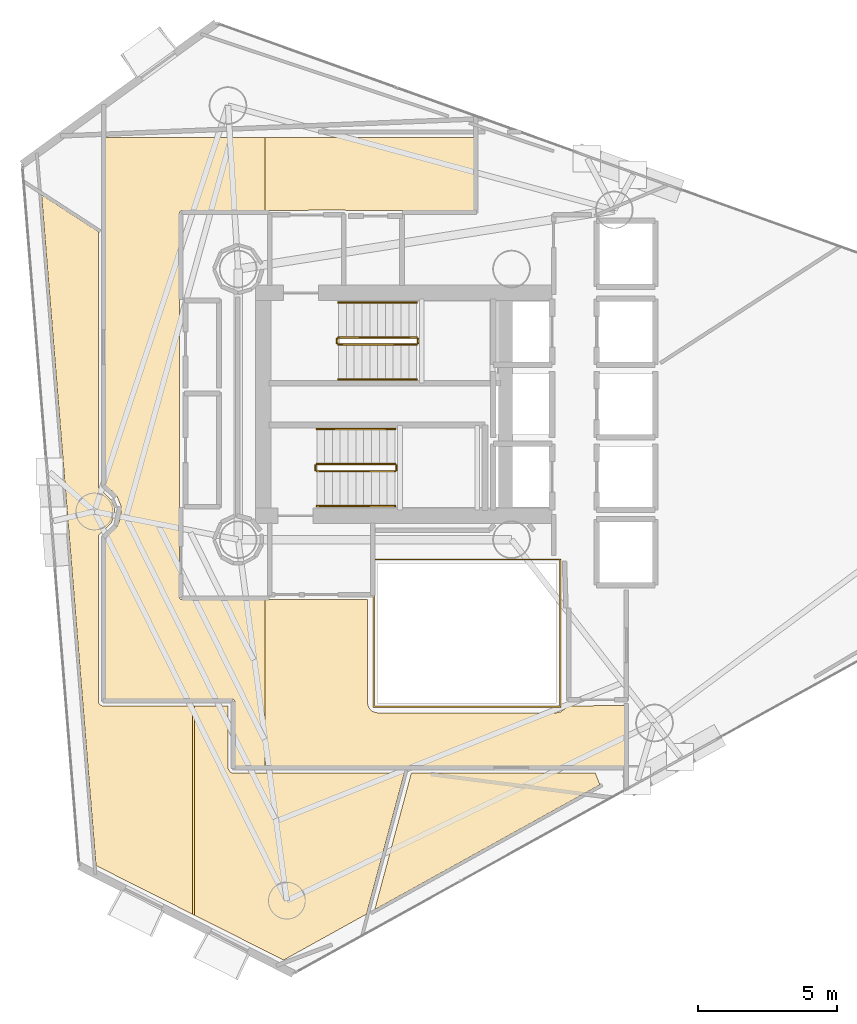
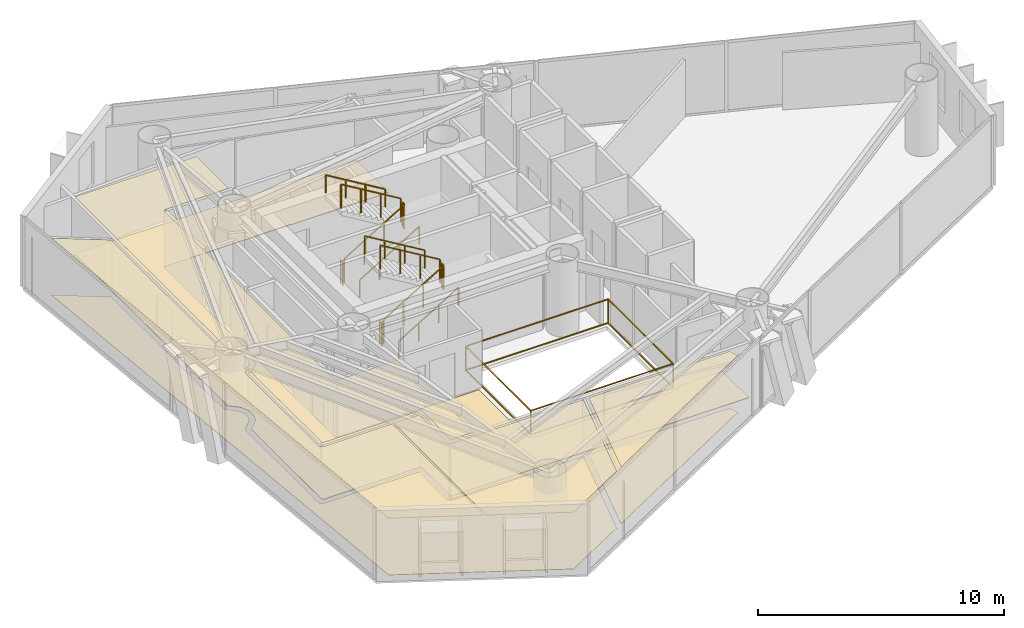
# One storey, part 21 of 21: 13 railings, 7 coverings.
"""IFC4 building model written with IfcOpenShell, lengths in metres."""

from ifc_helpers import new_model, si_unit, direction, frame, origin, origin_2d, place, context, subcontext, project, spatial, polyline, rectangle, outline, extrude, material, layer, layer_set, type_object, element, save


model = new_model("IFC4")

# Units and contexts
model_context = context("Model", 3, precision=1e-05, world=origin(), true_north=direction((0.0, 1.0)))
body_context = subcontext(model_context, "Body", "Model", "MODEL_VIEW")
ifc_project = project(units=[si_unit("LENGTHUNIT", "METRE"), si_unit("AREAUNIT", "SQUARE_METRE"), si_unit("VOLUMEUNIT", "CUBIC_METRE"), si_unit("PLANEANGLEUNIT", "RADIAN"), si_unit("MASSUNIT", "GRAM", prefix="KILO")], contexts=[model_context])

# Site, building, storey
site_placement = place(None, origin())
site = spatial("IfcSite", under=ifc_project, at=site_placement, CompositionType="ELEMENT")
building_placement = place(site_placement, origin())
building = spatial("IfcBuilding", under=site, at=building_placement, Name="Qianvela Tower", CompositionType="ELEMENT")
storey_placement = place(building_placement, frame((0.0, 0.0, 166.10009765625)))
storey = spatial("IfcBuildingStorey", under=building, at=storey_placement, Name="L42", CompositionType="ELEMENT", Elevation=166.10009765625)

# Coverings
ifc_material_1 = material(Name="Perforated Mineral Acoustic Ceiling Tile")
ifc_layer_1 = layer(ifc_material_1, 0.02490234375)
ifc_layer_set_1 = layer_set([ifc_layer_1], Name="Perforated Mineral Acoustic Ceiling Tile")
covering_type_1 = type_object("IfcCoveringType", Name="COV-CEIL-ACOUSTIC-25", PredefinedType="CEILING", material=ifc_layer_set_1)
covering_1_placement = place(storey_placement, frame((0.0, 0.0, 2.81494140625)))
element("IfcCovering", 1, at=covering_1_placement, inside=storey, type_object=covering_type_1, Name="L42 Acoustic Ceiling Bay 1 L42 Floor Corridor", PredefinedType="CEILING", context=body_context, shape_type="SweptSolid", body=[
    extrude(outline(polyline([(24.4033203125, 25.04150390625), (24.40234375, 25.04931640625), (24.400390625, 25.056884765625), (24.397705078125, 25.064208984375), (24.26416015625, 25.386962890625), (24.2607421875, 25.393798828125), (24.256591796875, 25.400634765625), (24.251953125, 25.406982421875), (24.140625, 25.54248046875), (24.135498046875, 25.54833984375), (24.129638671875, 25.5537109375), (23.830078125, 25.799560546875), (23.830078125, 38.27001953125), (29.55615234375, 38.27001953125), (29.55615234375, 35.651123046875), (26.57958984375, 35.639892578125), (26.572021484375, 35.6396484375), (26.564208984375, 35.638427734375), (26.556396484375, 35.636474609375), (26.54931640625, 35.6337890625), (26.5419921875, 35.630615234375), (26.535400390625, 35.62646484375), (26.529052734375, 35.62158203125), (26.523193359375, 35.616455078125), (26.51806640625, 35.610595703125), (26.513427734375, 35.6044921875), (26.509521484375, 35.59765625), (26.506103515625, 35.590576171875), (26.50341796875, 35.583251953125), (26.50146484375, 35.57568359375), (26.50048828125, 35.56787109375), (26.5, 35.56005859375), (26.5, 21.780029296875), (26.50048828125, 21.772216796875), (26.50146484375, 21.764404296875), (26.50341796875, 21.7568359375), (26.506103515625, 21.74951171875), (26.509521484375, 21.7421875), (26.513427734375, 21.735595703125), (26.518310546875, 21.729248046875), (26.5234375, 21.723388671875), (26.529296875, 21.71826171875), (26.53564453125, 21.71337890625), (26.542236328125, 21.70947265625), (26.54931640625, 21.7060546875), (26.556884765625, 21.703369140625), (26.564453125, 21.701416015625), (26.572265625, 21.700439453125), (26.580078125, 21.699951171875), (29.55615234375, 21.699951171875), (29.55615234375, 15.72998046875), (28.47998046875, 15.72998046875), (28.47998046875, 18.050048828125), (28.4794921875, 18.057861328125), (28.478515625, 18.065673828125), (28.4765625, 18.0732421875), (28.473876953125, 18.08056640625), (28.470703125, 18.087646484375), (28.466552734375, 18.094482421875), (28.4619140625, 18.100830078125), (28.45654296875, 18.106689453125), (28.45068359375, 18.11181640625), (28.4443359375, 18.116455078125), (28.437744140625, 18.12060546875), (28.4306640625, 18.123779296875), (28.423095703125, 18.126708984375), (28.41552734375, 18.12841796875), (28.40771484375, 18.129638671875), (28.39990234375, 18.1298828125), (23.830078125, 18.1298828125), (23.830078125, 23.921142578125), (24.244384765625, 24.302978515625), (24.25048828125, 24.30908203125), (24.255859375, 24.31591796875), (24.26025390625, 24.3232421875), (24.26416015625, 24.3310546875), (24.397705078125, 24.65380859375), (24.400390625, 24.6611328125), (24.40234375, 24.668701171875), (24.4033203125, 24.676513671875), (24.40380859375, 24.684326171875), (24.40380859375, 25.03369140625), (24.4033203125, 25.04150390625)])), origin(), (0.0, 0.0, 1.0), 0.02490234375),
])
covering_2_placement = place(storey_placement, frame((0.0, 0.0, 2.81494140625)))
element("IfcCovering", 2, at=covering_2_placement, inside=storey, type_object=covering_type_1, Name="L42 Acoustic Ceiling Bay 1 Graduate Seminar Classroom L42-01", PredefinedType="CEILING", context=body_context, shape_type="SweptSolid", body=[
    extrude(outline(polyline([(23.590087890625, 34.8876953125), (23.59033203125, 25.75390625), (23.5908203125, 25.745849609375), (23.592041015625, 25.738037109375), (23.593994140625, 25.730224609375), (23.5966796875, 25.722900390625), (23.60009765625, 25.715576171875), (23.604248046875, 25.708740234375), (23.609130859375, 25.702392578125), (23.614501953125, 25.696533203125), (24.05322265625, 25.268798828125), (24.163818359375, 25.001708984375), (24.163818359375, 24.71630859375), (24.055419921875, 24.454345703125), (23.614501953125, 24.021484375), (23.60888671875, 24.015625), (23.604248046875, 24.009521484375), (23.60009765625, 24.002685546875), (23.5966796875, 23.995361328125), (23.593994140625, 23.98779296875), (23.592041015625, 23.980224609375), (23.5908203125, 23.972412109375), (23.59033203125, 23.96435546875), (23.603515625, 18.00537109375), (23.60400390625, 17.99755859375), (23.60498046875, 17.98974609375), (23.60693359375, 17.982177734375), (23.609619140625, 17.974853515625), (23.613037109375, 17.9677734375), (23.616943359375, 17.9609375), (23.62158203125, 17.954833984375), (23.626953125, 17.948974609375), (23.6328125, 17.943603515625), (23.63916015625, 17.93896484375), (23.645751953125, 17.93505859375), (23.71240234375, 17.8994140625), (23.719482421875, 17.89599609375), (23.726806640625, 17.893310546875), (23.734375, 17.8916015625), (23.7421875, 17.890380859375), (23.75, 17.889892578125), (26.964111328125, 17.889892578125), (26.964111328125, 10.4248046875), (23.506103515625, 12.16748046875), (21.5546875, 36.20947265625), (23.590087890625, 34.8876953125)])), origin(), (0.0, 0.0, 1.0), 0.02490234375),
])
covering_3_placement = place(storey_placement, frame((0.0, 0.0, 2.81494140625)))
element("IfcCovering", 3, at=covering_3_placement, inside=storey, type_object=covering_type_1, Name="L42 Acoustic Ceiling Bay 2 Graduate Seminar Classroom L42-01", PredefinedType="CEILING", context=body_context, shape_type="SweptSolid", body=[
    extrude(outline(polyline([(28.239990234375, 17.889892578125), (28.239990234375, 15.64990234375), (28.240478515625, 15.64208984375), (28.241455078125, 15.634521484375), (28.243408203125, 15.626708984375), (28.24609375, 15.619384765625), (28.24951171875, 15.6123046875), (28.25341796875, 15.605712890625), (28.25830078125, 15.59912109375), (28.322509765625, 15.520751953125), (28.327880859375, 15.514892578125), (28.33349609375, 15.509765625), (28.33984375, 15.5048828125), (28.3466796875, 15.5009765625), (28.353759765625, 15.49755859375), (28.361083984375, 15.4951171875), (28.368896484375, 15.4931640625), (28.37646484375, 15.491943359375), (28.384521484375, 15.491455078125), (34.5576171875, 15.489990234375), (33.200927734375, 10.4267578125), (30.228515625, 8.77978515625), (27.044189453125, 10.384521484375), (27.044189453125, 17.889892578125), (28.239990234375, 17.889892578125)])), origin(), (0.0, 0.0, 1.0), 0.02490234375),
])
covering_4_placement = place(storey_placement, frame((0.0, 0.0, 2.81494140625)))
element("IfcCovering", 4, at=covering_4_placement, inside=storey, type_object=covering_type_1, Name="L42 Acoustic Ceiling Tutorial Breakout Seminar L42-02", PredefinedType="CEILING", context=body_context, shape_type="SweptSolid", body=[
    extrude(outline(polyline([(34.810302734375, 15.489990234375), (41.40380859375, 15.489990234375), (41.567626953125, 15.063232421875), (33.49755859375, 10.59130859375), (34.810302734375, 15.489990234375)])), origin(), (0.0, 0.0, 1.0), 0.02490234375),
])
ifc_material_2 = material(Name="Engineered Acoustic Oak Timber Flooring", Category="wood")
ifc_layer_2 = layer(ifc_material_2, 0.02001953125)
ifc_layer_set_2 = layer_set([ifc_layer_2], Name="Engineered Acoustic Oak Timber Flooring")
covering_type_2 = type_object("IfcCoveringType", Name="COV-FLOOR-OAK-20", PredefinedType="FLOORING", material=ifc_layer_set_2)
covering_5_placement = place(storey_placement, origin())
element("IfcCovering", 5, at=covering_5_placement, inside=storey, type_object=covering_type_2, Name="L42 Finish Flooring Graduate Seminar Classroom L42-01", PredefinedType="FLOORING", context=body_context, shape_type="SweptSolid", body=[
    extrude(outline(polyline([(21.5546875, 36.20947265625), (23.590087890625, 34.8876953125), (23.59033203125, 25.75390625), (23.5908203125, 25.745849609375), (23.592041015625, 25.738037109375), (23.593994140625, 25.730224609375), (23.5966796875, 25.722900390625), (23.60009765625, 25.715576171875), (23.604248046875, 25.708740234375), (23.609130859375, 25.702392578125), (23.614501953125, 25.696533203125), (24.05322265625, 25.268798828125), (24.163818359375, 25.001708984375), (24.163818359375, 24.71630859375), (24.055419921875, 24.454345703125), (23.614501953125, 24.021484375), (23.60888671875, 24.015625), (23.604248046875, 24.009521484375), (23.60009765625, 24.002685546875), (23.5966796875, 23.995361328125), (23.593994140625, 23.98779296875), (23.592041015625, 23.980224609375), (23.5908203125, 23.972412109375), (23.59033203125, 23.96435546875), (23.603515625, 18.00537109375), (23.60400390625, 17.99755859375), (23.60498046875, 17.98974609375), (23.60693359375, 17.982177734375), (23.609619140625, 17.974853515625), (23.613037109375, 17.9677734375), (23.616943359375, 17.9609375), (23.62158203125, 17.954833984375), (23.626953125, 17.948974609375), (23.6328125, 17.943603515625), (23.63916015625, 17.93896484375), (23.645751953125, 17.93505859375), (23.71240234375, 17.8994140625), (23.719482421875, 17.89599609375), (23.726806640625, 17.893310546875), (23.734375, 17.8916015625), (23.7421875, 17.890380859375), (23.75, 17.889892578125), (28.239990234375, 17.889892578125), (28.239990234375, 15.64990234375), (28.240478515625, 15.64208984375), (28.241455078125, 15.634521484375), (28.243408203125, 15.626708984375), (28.24609375, 15.619384765625), (28.24951171875, 15.6123046875), (28.25341796875, 15.605712890625), (28.25830078125, 15.59912109375), (28.322509765625, 15.520751953125), (28.327880859375, 15.514892578125), (28.33349609375, 15.509765625), (28.33984375, 15.5048828125), (28.3466796875, 15.5009765625), (28.353759765625, 15.49755859375), (28.361083984375, 15.4951171875), (28.368896484375, 15.4931640625), (28.37646484375, 15.491943359375), (28.384521484375, 15.491455078125), (34.5576171875, 15.489990234375), (33.200927734375, 10.4267578125), (30.228515625, 8.77978515625), (23.506103515625, 12.16748046875), (21.5546875, 36.20947265625)])), origin(), (0.0, 0.0, 1.0), 0.02001953125),
])
covering_6_placement = place(storey_placement, origin())
element("IfcCovering", 6, at=covering_6_placement, inside=storey, type_object=covering_type_2, Name="L42 Finish Flooring Tutorial Breakout Seminar L42-02", PredefinedType="FLOORING", context=body_context, shape_type="SweptSolid", body=[
    extrude(outline(polyline([(34.810302734375, 15.489990234375), (41.40380859375, 15.489990234375), (41.567626953125, 15.063232421875), (33.49755859375, 10.59130859375), (34.810302734375, 15.489990234375)])), origin(), (0.0, 0.0, 1.0), 0.02001953125),
])
ifc_material_3 = material(Name="Honed Stone Terrazzo Flooring", Category="masonry")
ifc_layer_3 = layer(ifc_material_3, 0.030029296875)
ifc_layer_set_3 = layer_set([ifc_layer_3], Name="Honed Stone Terrazzo Flooring")
covering_type_3 = type_object("IfcCoveringType", Name="COV-FLOOR-TERRAZZO-30", PredefinedType="FLOORING", material=ifc_layer_set_3)
covering_7_placement = place(storey_placement, origin())
element("IfcCovering", 7, at=covering_7_placement, inside=storey, type_object=covering_type_3, Name="L42 Finish Flooring L42 Floor Corridor", PredefinedType="FLOORING", context=body_context, shape_type="SweptSolid", body=[
    extrude(outline(polyline([(24.40380859375, 25.03369140625), (24.4033203125, 25.04150390625), (24.40234375, 25.04931640625), (24.400390625, 25.056884765625), (24.397705078125, 25.064208984375), (24.26416015625, 25.386962890625), (24.2607421875, 25.393798828125), (24.256591796875, 25.400634765625), (24.251953125, 25.406982421875), (24.140625, 25.54248046875), (24.135498046875, 25.54833984375), (24.129638671875, 25.5537109375), (23.830078125, 25.799560546875), (23.830078125, 38.27001953125), (37.070068359375, 38.27001953125), (37.070068359375, 35.639892578125), (32.5244140625, 35.639892578125), (32.43798828125, 35.659912109375), (32.428955078125, 35.66162109375), (32.419677734375, 35.662109375), (26.57958984375, 35.639892578125), (26.572021484375, 35.6396484375), (26.564208984375, 35.638427734375), (26.556396484375, 35.636474609375), (26.54931640625, 35.6337890625), (26.5419921875, 35.630615234375), (26.535400390625, 35.62646484375), (26.529052734375, 35.62158203125), (26.523193359375, 35.616455078125), (26.51806640625, 35.610595703125), (26.513427734375, 35.6044921875), (26.509521484375, 35.59765625), (26.506103515625, 35.590576171875), (26.50341796875, 35.583251953125), (26.50146484375, 35.57568359375), (26.50048828125, 35.56787109375), (26.5, 35.56005859375), (26.5, 21.780029296875), (26.50048828125, 21.772216796875), (26.50146484375, 21.764404296875), (26.50341796875, 21.7568359375), (26.506103515625, 21.74951171875), (26.509521484375, 21.7421875), (26.513427734375, 21.735595703125), (26.518310546875, 21.729248046875), (26.5234375, 21.723388671875), (26.529296875, 21.71826171875), (26.53564453125, 21.71337890625), (26.542236328125, 21.70947265625), (26.54931640625, 21.7060546875), (26.556884765625, 21.703369140625), (26.564453125, 21.701416015625), (26.572265625, 21.700439453125), (26.580078125, 21.699951171875), (33.239990234375, 21.699951171875), (33.239990234375, 18.0), (33.240478515625, 17.990234375), (33.242431640625, 17.980712890625), (33.275390625, 17.8486328125), (33.277587890625, 17.841064453125), (33.28076171875, 17.833740234375), (33.284423828125, 17.826904296875), (33.288818359375, 17.8203125), (33.293701171875, 17.814208984375), (33.38525390625, 17.71337890625), (33.391357421875, 17.70751953125), (33.398193359375, 17.701904296875), (33.405517578125, 17.697509765625), (33.4130859375, 17.693603515625), (33.421142578125, 17.690673828125), (33.576904296875, 17.643310546875), (33.58447265625, 17.6416015625), (33.59228515625, 17.640380859375), (33.60009765625, 17.639892578125), (40.0, 17.639892578125), (40.006591796875, 17.640380859375), (40.012939453125, 17.64111328125), (40.019287109375, 17.642333984375), (40.1513671875, 17.675537109375), (40.15869140625, 17.677734375), (40.166015625, 17.6806640625), (40.172607421875, 17.68408203125), (40.17919921875, 17.6884765625), (40.45947265625, 17.89306640625), (42.469970703125, 17.899658203125), (42.469970703125, 15.72998046875), (28.47998046875, 15.72998046875), (28.47998046875, 18.050048828125), (28.4794921875, 18.057861328125), (28.478515625, 18.065673828125), (28.4765625, 18.0732421875), (28.473876953125, 18.08056640625), (28.470703125, 18.087646484375), (28.466552734375, 18.094482421875), (28.4619140625, 18.100830078125), (28.45654296875, 18.106689453125), (28.45068359375, 18.11181640625), (28.4443359375, 18.116455078125), (28.437744140625, 18.12060546875), (28.4306640625, 18.123779296875), (28.423095703125, 18.126708984375), (28.41552734375, 18.12841796875), (28.40771484375, 18.129638671875), (28.39990234375, 18.1298828125), (23.830078125, 18.1298828125), (23.830078125, 23.921142578125), (24.244384765625, 24.302978515625), (24.25048828125, 24.30908203125), (24.255859375, 24.31591796875), (24.26025390625, 24.3232421875), (24.26416015625, 24.3310546875), (24.397705078125, 24.65380859375), (24.400390625, 24.6611328125), (24.40234375, 24.668701171875), (24.4033203125, 24.676513671875), (24.40380859375, 24.684326171875), (24.40380859375, 25.03369140625)])), origin(), (0.0, 0.0, 1.0), 0.02978515625),
])

# Railings
ifc_material_4 = material(Name="Laminated Safety Glass and Stainless Steel 316", Category="steel")
railing_type_1 = type_object("IfcRailingType", Name="RL-ATRIUM-GUARD-1250", PredefinedType="GUARDRAIL", material=ifc_material_4)
railing_1_placement = place(storey_placement, frame((33.4599609375, 17.860107421875, 0.0)))
element("IfcRailing", 8, at=railing_1_placement, inside=storey, type_object=railing_type_1, Name="L42 Atrium Edge Guardrail 1", PredefinedType="GUARDRAIL", context=body_context, shape_type="SweptSolid", body=[
    extrude(rectangle(XDim=0.050048828125, YDim=0.0400390625, at=origin_2d()), frame((0.0, 0.0, 1.22998046875), z_axis=(0.0, 1.0, 0.0), x_axis=(-1.0, 0.0, 0.0)), (0.0, 0.0, 1.0), 5.27978515625),
    extrude(rectangle(XDim=0.050048828125, YDim=0.0400390625, at=origin_2d()), frame((0.0, 0.0, 0.050048828125), z_axis=(0.0, 1.0, 0.0), x_axis=(-1.0, 0.0, 0.0)), (0.0, 0.0, 1.0), 5.27978515625),
    extrude(rectangle(XDim=0.050048828125, YDim=0.0400390625, at=origin_2d()), frame((0.0, 5.27978515625, 1.22998046875), z_axis=(1.0, 0.0, 0.0), x_axis=(0.0, 1.0, 0.0)), (0.0, 0.0, 1.0), 6.679931640625),
    extrude(rectangle(XDim=0.050048828125, YDim=0.0400390625, at=origin_2d()), frame((0.0, 5.27978515625, 0.050048828125), z_axis=(1.0, 0.0, 0.0), x_axis=(0.0, 1.0, 0.0)), (0.0, 0.0, 1.0), 6.679931640625),
    extrude(rectangle(XDim=0.050048828125, YDim=0.0400390625, at=origin_2d()), frame((6.679931640625, 5.27978515625, 1.22998046875), z_axis=(0.0, -1.0, 0.0), x_axis=(1.0, 0.0, 0.0)), (0.0, 0.0, 1.0), 5.27978515625),
    extrude(rectangle(XDim=0.050048828125, YDim=0.0400390625, at=origin_2d()), frame((6.679931640625, 5.27978515625, 0.050048828125), z_axis=(0.0, -1.0, 0.0), x_axis=(1.0, 0.0, 0.0)), (0.0, 0.0, 1.0), 5.27978515625),
    extrude(rectangle(XDim=0.050048828125, YDim=0.0400390625, at=origin_2d()), frame((6.679931640625, 0.0, 1.22998046875), z_axis=(-1.0, 0.0, 0.0), x_axis=(0.0, -1.0, 0.0)), (0.0, 0.0, 1.0), 6.679931640625),
    extrude(rectangle(XDim=0.050048828125, YDim=0.0400390625, at=origin_2d()), frame((6.679931640625, 0.0, 0.050048828125), z_axis=(-1.0, 0.0, 0.0), x_axis=(0.0, -1.0, 0.0)), (0.0, 0.0, 1.0), 6.679931640625),
    extrude(rectangle(XDim=0.050048828125, YDim=0.050048828125, at=origin_2d()), origin(), (0.0, 0.0, 1.0), 1.2099609375),
    extrude(rectangle(XDim=0.050048828125, YDim=0.050048828125, at=origin_2d()), frame((0.0, 5.27978515625, 0.0)), (0.0, 0.0, 1.0), 1.2099609375),
    extrude(rectangle(XDim=0.050048828125, YDim=0.050048828125, at=origin_2d()), frame((6.679931640625, 5.27978515625, 0.0)), (0.0, 0.0, 1.0), 1.2099609375),
    extrude(rectangle(XDim=0.050048828125, YDim=0.050048828125, at=origin_2d()), frame((6.679931640625, 0.0, 0.0)), (0.0, 0.0, 1.0), 1.2099609375),
])
ifc_material_5 = material(Name="Painted Tubular Steel Q355B", Category="steel")
railing_type_2 = type_object("IfcRailingType", Name="RL-STAIR-GUARD-1200", PredefinedType="GUARDRAIL", material=ifc_material_5)
railing_2_placement = place(storey_placement, frame((32.199951171875, 30.840087890625, 0.16796875)))
element("IfcRailing", 9, at=railing_2_placement, inside=storey, type_object=railing_type_2, Name="L42 ST-1 stair guard 1", PredefinedType="GUARDRAIL", context=body_context, shape_type="SweptSolid", body=[
    extrude(rectangle(XDim=0.050048828125, YDim=0.0400390625, at=origin_2d()), frame((0.0, 0.0, 1.179931640625), z_axis=(0.857242210791, 0.0, 0.514913383045), x_axis=(0.0, 1.0, 0.0)), (0.0, 0.0, 1.0), 3.266357421875),
    extrude(rectangle(XDim=0.050048828125, YDim=0.050048828125, at=origin_2d()), origin(), (0.0, 0.0, 1.0), 1.159912109375),
    extrude(rectangle(XDim=0.050048828125, YDim=0.050048828125, at=origin_2d()), frame((0.933349609375, 0.0, 0.560546875)), (0.0, 0.0, 1.0), 1.159912109375),
    extrude(rectangle(XDim=0.050048828125, YDim=0.050048828125, at=origin_2d()), frame((1.86669921875, 0.0, 1.121337890625)), (0.0, 0.0, 1.0), 1.159912109375),
    extrude(rectangle(XDim=0.050048828125, YDim=0.050048828125, at=origin_2d()), frame((2.800048828125, 0.0, 1.681884765625)), (0.0, 0.0, 1.0), 1.159912109375),
])
railing_3_placement = place(storey_placement, frame((35.050048828125, 30.889892578125, 1.849853515625)))
element("IfcRailing", 10, at=railing_3_placement, inside=storey, type_object=railing_type_2, Name="L42 ST-1 stair guard 2", PredefinedType="GUARDRAIL", context=body_context, shape_type="SweptSolid", body=[
    extrude(rectangle(XDim=0.050048828125, YDim=0.0400390625, at=origin_2d()), frame((0.0, 0.0, 1.179931640625), z_axis=(0.0, 1.0, 0.0), x_axis=(-1.0, 0.0, 0.0)), (0.0, 0.0, 1.0), 0.16015625),
    extrude(rectangle(XDim=0.050048828125, YDim=0.050048828125, at=origin_2d()), origin(), (0.0, 0.0, 1.0), 1.159912109375),
    extrude(rectangle(XDim=0.050048828125, YDim=0.050048828125, at=origin_2d()), frame((0.0, 0.16015625, 0.0)), (0.0, 0.0, 1.0), 1.159912109375),
])
railing_4_placement = place(storey_placement, frame((35.0, 31.10009765625, 2.01806640625)))
element("IfcRailing", 11, at=railing_4_placement, inside=storey, type_object=railing_type_2, Name="L42 ST-1 stair guard 3", PredefinedType="GUARDRAIL", context=body_context, shape_type="SweptSolid", body=[
    extrude(rectangle(XDim=0.050048828125, YDim=0.0400390625, at=origin_2d()), frame((0.0, 0.0, 1.179931640625), z_axis=(-0.857242210791, 0.0, 0.514913383045), x_axis=(0.0, -1.0, 0.0)), (0.0, 0.0, 1.0), 3.266357421875),
    extrude(rectangle(XDim=0.050048828125, YDim=0.050048828125, at=origin_2d()), origin(), (0.0, 0.0, 1.0), 1.159912109375),
    extrude(rectangle(XDim=0.050048828125, YDim=0.050048828125, at=origin_2d()), frame((-0.933349609375, 0.0, 0.560546875)), (0.0, 0.0, 1.0), 1.159912109375),
    extrude(rectangle(XDim=0.050048828125, YDim=0.050048828125, at=origin_2d()), frame((-1.86669921875, 0.0, 1.121337890625)), (0.0, 0.0, 1.0), 1.159912109375),
    extrude(rectangle(XDim=0.050048828125, YDim=0.050048828125, at=origin_2d()), frame((-2.800048828125, 0.0, 1.681884765625)), (0.0, 0.0, 1.0), 1.159912109375),
])
railing_5_placement = place(storey_placement, frame((32.14990234375, 30.889892578125, 0.0)))
element("IfcRailing", 12, at=railing_5_placement, inside=storey, type_object=railing_type_2, Name="L42 ST-1 stair guard 4", PredefinedType="GUARDRAIL", context=body_context, shape_type="SweptSolid", body=[
    extrude(rectangle(XDim=0.050048828125, YDim=0.0400390625, at=origin_2d()), frame((0.0, 0.0, 1.179931640625), z_axis=(0.0, 1.0, 0.0), x_axis=(-1.0, 0.0, 0.0)), (0.0, 0.0, 1.0), 0.16015625),
    extrude(rectangle(XDim=0.050048828125, YDim=0.050048828125, at=origin_2d()), origin(), (0.0, 0.0, 1.0), 1.159912109375),
    extrude(rectangle(XDim=0.050048828125, YDim=0.050048828125, at=origin_2d()), frame((0.0, 0.16015625, 0.0)), (0.0, 0.0, 1.0), 1.159912109375),
])
railing_6_placement = place(storey_placement, frame((31.419921875, 26.300048828125, 0.16796875)))
element("IfcRailing", 13, at=railing_6_placement, inside=storey, type_object=railing_type_2, Name="L42 ST-2 stair guard 1", PredefinedType="GUARDRAIL", context=body_context, shape_type="SweptSolid", body=[
    extrude(rectangle(XDim=0.050048828125, YDim=0.0400390625, at=origin_2d()), frame((0.0, 0.0, 1.179931640625), z_axis=(0.857242210791, 0.0, 0.514913383045), x_axis=(0.0, 1.0, 0.0)), (0.0, 0.0, 1.0), 3.266357421875),
    extrude(rectangle(XDim=0.050048828125, YDim=0.050048828125, at=origin_2d()), origin(), (0.0, 0.0, 1.0), 1.159912109375),
    extrude(rectangle(XDim=0.050048828125, YDim=0.050048828125, at=origin_2d()), frame((0.933349609375, 0.0, 0.560546875)), (0.0, 0.0, 1.0), 1.159912109375),
    extrude(rectangle(XDim=0.050048828125, YDim=0.050048828125, at=origin_2d()), frame((1.86669921875, 0.0, 1.121337890625)), (0.0, 0.0, 1.0), 1.159912109375),
    extrude(rectangle(XDim=0.050048828125, YDim=0.050048828125, at=origin_2d()), frame((2.800048828125, 0.0, 1.681884765625)), (0.0, 0.0, 1.0), 1.159912109375),
])
railing_7_placement = place(storey_placement, frame((34.27001953125, 26.35009765625, 1.849853515625)))
element("IfcRailing", 14, at=railing_7_placement, inside=storey, type_object=railing_type_2, Name="L42 ST-2 stair guard 2", PredefinedType="GUARDRAIL", context=body_context, shape_type="SweptSolid", body=[
    extrude(rectangle(XDim=0.050048828125, YDim=0.0400390625, at=origin_2d()), frame((0.0, 0.0, 1.179931640625), z_axis=(0.0, 1.0, 0.0), x_axis=(-1.0, 0.0, 0.0)), (0.0, 0.0, 1.0), 0.159912109375),
    extrude(rectangle(XDim=0.050048828125, YDim=0.050048828125, at=origin_2d()), origin(), (0.0, 0.0, 1.0), 1.159912109375),
    extrude(rectangle(XDim=0.050048828125, YDim=0.050048828125, at=origin_2d()), frame((0.0, 0.159912109375, 0.0)), (0.0, 0.0, 1.0), 1.159912109375),
])
railing_8_placement = place(storey_placement, frame((34.219970703125, 26.56005859375, 2.01806640625)))
element("IfcRailing", 15, at=railing_8_placement, inside=storey, type_object=railing_type_2, Name="L42 ST-2 stair guard 3", PredefinedType="GUARDRAIL", context=body_context, shape_type="SweptSolid", body=[
    extrude(rectangle(XDim=0.050048828125, YDim=0.0400390625, at=origin_2d()), frame((0.0, 0.0, 1.179931640625), z_axis=(-0.857242210791, 0.0, 0.514913383045), x_axis=(0.0, -1.0, 0.0)), (0.0, 0.0, 1.0), 3.266357421875),
    extrude(rectangle(XDim=0.050048828125, YDim=0.050048828125, at=origin_2d()), origin(), (0.0, 0.0, 1.0), 1.159912109375),
    extrude(rectangle(XDim=0.050048828125, YDim=0.050048828125, at=origin_2d()), frame((-0.933349609375, 0.0, 0.560546875)), (0.0, 0.0, 1.0), 1.159912109375),
    extrude(rectangle(XDim=0.050048828125, YDim=0.050048828125, at=origin_2d()), frame((-1.86669921875, 0.0, 1.121337890625)), (0.0, 0.0, 1.0), 1.159912109375),
    extrude(rectangle(XDim=0.050048828125, YDim=0.050048828125, at=origin_2d()), frame((-2.800048828125, 0.0, 1.681884765625)), (0.0, 0.0, 1.0), 1.159912109375),
])
railing_9_placement = place(storey_placement, frame((31.3701171875, 26.35009765625, 0.0)))
element("IfcRailing", 16, at=railing_9_placement, inside=storey, type_object=railing_type_2, Name="L42 ST-2 stair guard 4", PredefinedType="GUARDRAIL", context=body_context, shape_type="SweptSolid", body=[
    extrude(rectangle(XDim=0.050048828125, YDim=0.0400390625, at=origin_2d()), frame((0.0, 0.0, 1.179931640625), z_axis=(0.0, 1.0, 0.0), x_axis=(-1.0, 0.0, 0.0)), (0.0, 0.0, 1.0), 0.159912109375),
    extrude(rectangle(XDim=0.050048828125, YDim=0.050048828125, at=origin_2d()), origin(), (0.0, 0.0, 1.0), 1.159912109375),
    extrude(rectangle(XDim=0.050048828125, YDim=0.050048828125, at=origin_2d()), frame((0.0, 0.159912109375, 0.0)), (0.0, 0.0, 1.0), 1.159912109375),
])
ifc_material_6 = material(Name="Brushed Stainless Steel 304", Category="steel")
railing_type_3 = type_object("IfcRailingType", Name="RL-STAIR-HANDRAIL-900", PredefinedType="HANDRAIL", material=ifc_material_6)
railing_10_placement = place(storey_placement, frame((32.199951171875, 29.590087890625, 0.16796875)))
element("IfcRailing", 17, at=railing_10_placement, inside=storey, type_object=railing_type_3, Name="L42 ST-1 stair handrail 1", PredefinedType="HANDRAIL", context=body_context, shape_type="SweptSolid", body=[
    extrude(rectangle(XDim=0.050048828125, YDim=0.0400390625, at=origin_2d()), frame((0.0, 0.0, 0.8798828125), z_axis=(0.857242210791, 0.0, 0.514913383045), x_axis=(0.0, 1.0, 0.0)), (0.0, 0.0, 1.0), 3.266357421875),
    extrude(rectangle(XDim=0.050048828125, YDim=0.050048828125, at=origin_2d()), origin(), (0.0, 0.0, 1.0), 0.85986328125),
    extrude(rectangle(XDim=0.050048828125, YDim=0.050048828125, at=origin_2d()), frame((0.933349609375, 0.0, 0.560546875)), (0.0, 0.0, 1.0), 0.85986328125),
    extrude(rectangle(XDim=0.050048828125, YDim=0.050048828125, at=origin_2d()), frame((1.86669921875, 0.0, 1.121337890625)), (0.0, 0.0, 1.0), 0.85986328125),
    extrude(rectangle(XDim=0.050048828125, YDim=0.050048828125, at=origin_2d()), frame((2.800048828125, 0.0, 1.681884765625)), (0.0, 0.0, 1.0), 0.85986328125),
])
railing_11_placement = place(storey_placement, frame((35.0, 32.35009765625, 2.01806640625)))
element("IfcRailing", 18, at=railing_11_placement, inside=storey, type_object=railing_type_3, Name="L42 ST-1 stair handrail 2", PredefinedType="HANDRAIL", context=body_context, shape_type="SweptSolid", body=[
    extrude(rectangle(XDim=0.050048828125, YDim=0.0400390625, at=origin_2d()), frame((0.0, 0.0, 0.8798828125), z_axis=(-0.857242210791, 0.0, 0.514913383045), x_axis=(0.0, -1.0, 0.0)), (0.0, 0.0, 1.0), 3.266357421875),
    extrude(rectangle(XDim=0.050048828125, YDim=0.050048828125, at=origin_2d()), origin(), (0.0, 0.0, 1.0), 0.85986328125),
    extrude(rectangle(XDim=0.050048828125, YDim=0.050048828125, at=origin_2d()), frame((-0.933349609375, 0.0, 0.560546875)), (0.0, 0.0, 1.0), 0.85986328125),
    extrude(rectangle(XDim=0.050048828125, YDim=0.050048828125, at=origin_2d()), frame((-1.86669921875, 0.0, 1.121337890625)), (0.0, 0.0, 1.0), 0.85986328125),
    extrude(rectangle(XDim=0.050048828125, YDim=0.050048828125, at=origin_2d()), frame((-2.800048828125, 0.0, 1.681884765625)), (0.0, 0.0, 1.0), 0.85986328125),
])
railing_12_placement = place(storey_placement, frame((31.419921875, 25.050048828125, 0.16796875)))
element("IfcRailing", 19, at=railing_12_placement, inside=storey, type_object=railing_type_3, Name="L42 ST-2 stair handrail 1", PredefinedType="HANDRAIL", context=body_context, shape_type="SweptSolid", body=[
    extrude(rectangle(XDim=0.050048828125, YDim=0.0400390625, at=origin_2d()), frame((0.0, 0.0, 0.8798828125), z_axis=(0.857242210791, 0.0, 0.514913383045), x_axis=(0.0, 1.0, 0.0)), (0.0, 0.0, 1.0), 3.266357421875),
    extrude(rectangle(XDim=0.050048828125, YDim=0.050048828125, at=origin_2d()), origin(), (0.0, 0.0, 1.0), 0.85986328125),
    extrude(rectangle(XDim=0.050048828125, YDim=0.050048828125, at=origin_2d()), frame((0.933349609375, 0.0, 0.560546875)), (0.0, 0.0, 1.0), 0.85986328125),
    extrude(rectangle(XDim=0.050048828125, YDim=0.050048828125, at=origin_2d()), frame((1.86669921875, 0.0, 1.121337890625)), (0.0, 0.0, 1.0), 0.85986328125),
    extrude(rectangle(XDim=0.050048828125, YDim=0.050048828125, at=origin_2d()), frame((2.800048828125, 0.0, 1.681884765625)), (0.0, 0.0, 1.0), 0.85986328125),
])
railing_13_placement = place(storey_placement, frame((34.219970703125, 27.81005859375, 2.01806640625)))
element("IfcRailing", 20, at=railing_13_placement, inside=storey, type_object=railing_type_3, Name="L42 ST-2 stair handrail 2", PredefinedType="HANDRAIL", context=body_context, shape_type="SweptSolid", body=[
    extrude(rectangle(XDim=0.050048828125, YDim=0.0400390625, at=origin_2d()), frame((0.0, 0.0, 0.8798828125), z_axis=(-0.857242210791, 0.0, 0.514913383045), x_axis=(0.0, -1.0, 0.0)), (0.0, 0.0, 1.0), 3.266357421875),
    extrude(rectangle(XDim=0.050048828125, YDim=0.050048828125, at=origin_2d()), origin(), (0.0, 0.0, 1.0), 0.85986328125),
    extrude(rectangle(XDim=0.050048828125, YDim=0.050048828125, at=origin_2d()), frame((-0.933349609375, 0.0, 0.560546875)), (0.0, 0.0, 1.0), 0.85986328125),
    extrude(rectangle(XDim=0.050048828125, YDim=0.050048828125, at=origin_2d()), frame((-1.86669921875, 0.0, 1.121337890625)), (0.0, 0.0, 1.0), 0.85986328125),
    extrude(rectangle(XDim=0.050048828125, YDim=0.050048828125, at=origin_2d()), frame((-2.800048828125, 0.0, 1.681884765625)), (0.0, 0.0, 1.0), 0.85986328125),
])

save(model, "model.ifc")
